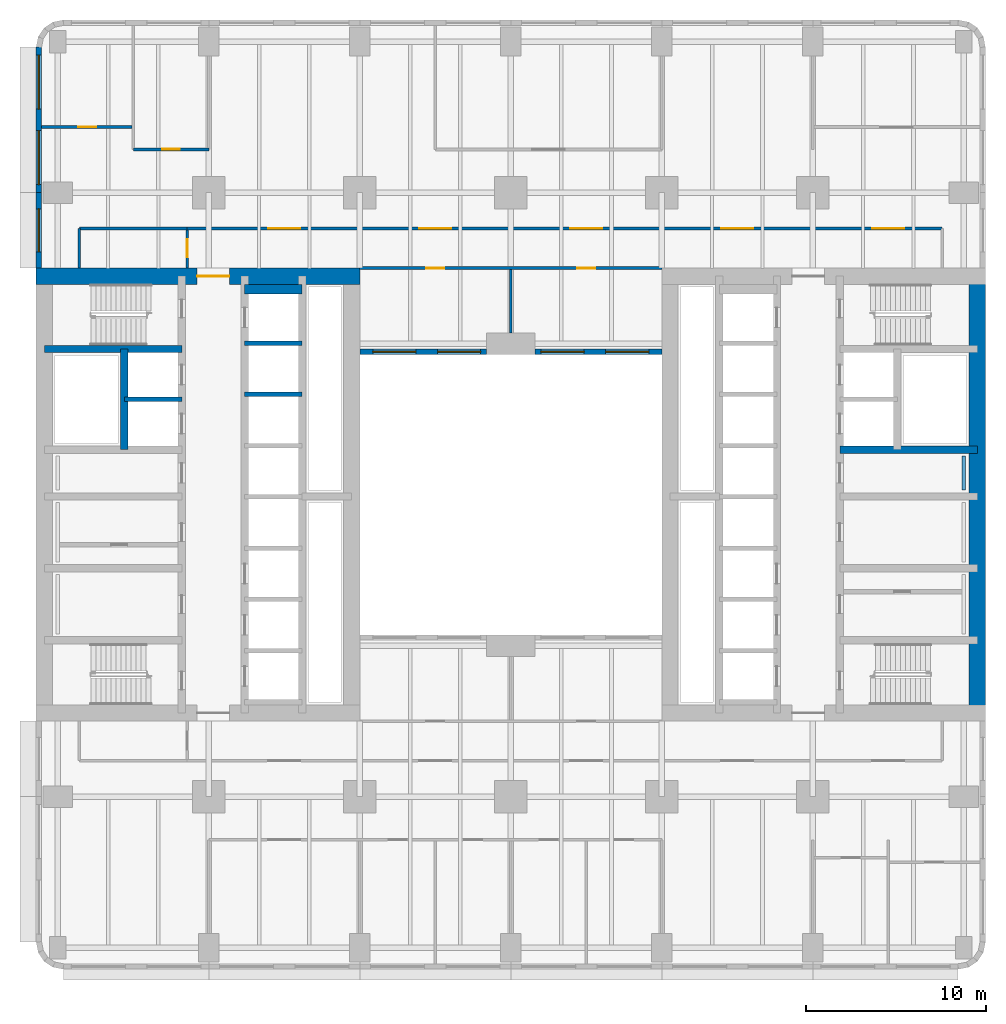
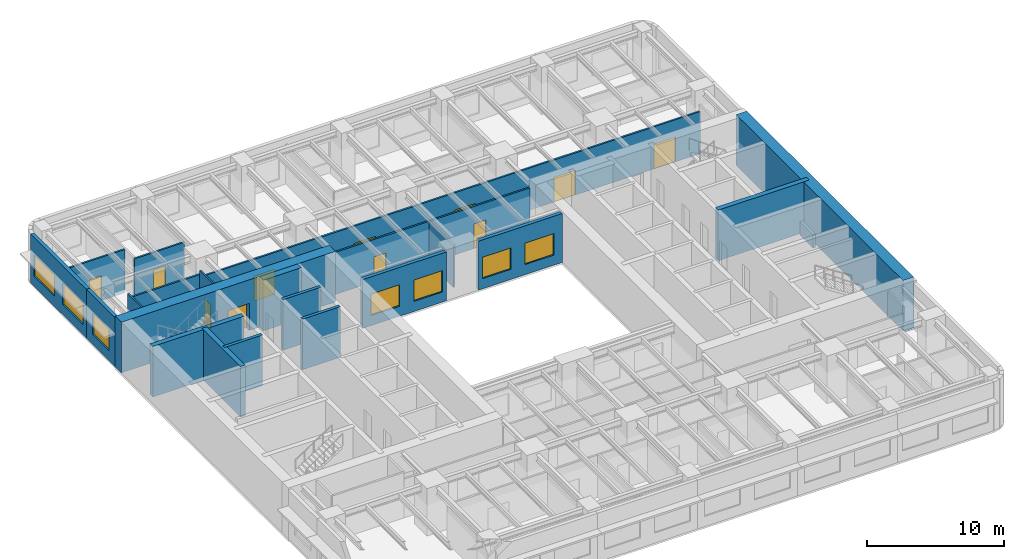
# One storey, part 6 of 14: 22 walls, 11 doors, 7 windows, 18 openings.
"""IFC4 building model written with IfcOpenShell, lengths in metres."""

from ifc_helpers import new_model, si_unit, direction, frame, frame_2d, origin, place, context, subcontext, project, spatial, rectangle, extrude, material, layer, layer_set, type_object, element, fill, save


model = new_model("IFC4")

# Units and contexts
model_context = context("Model", 3, precision=1e-05, world=origin(), true_north=direction((0.0, 1.0)))
body_context = subcontext(model_context, "Body", "Model", "MODEL_VIEW")
ifc_project = project(units=[si_unit("LENGTHUNIT", "METRE"), si_unit("AREAUNIT", "SQUARE_METRE"), si_unit("VOLUMEUNIT", "CUBIC_METRE"), si_unit("PLANEANGLEUNIT", "RADIAN"), si_unit("MASSUNIT", "GRAM", prefix="KILO")], contexts=[model_context])

# Site, building, storey
site_placement = place(None, origin())
site = spatial("IfcSite", under=ifc_project, at=site_placement, CompositionType="ELEMENT")
building_placement = place(site_placement, origin())
building = spatial("IfcBuilding", under=site, at=building_placement, Name="Claustro Exchange Tower", CompositionType="ELEMENT")
storey_placement = place(building_placement, frame((0.0, 0.0, 59.39990234375)))
storey = spatial("IfcBuildingStorey", under=building, at=storey_placement, Name="L13", CompositionType="ELEMENT", Elevation=59.39990234375)

# Wall, opening, door
ifc_material_1 = material(Name="Gypsum board on steel studs", Category="steel")
ifc_layer_1 = layer(ifc_material_1, 0.14990234375)
ifc_layer_set_1 = layer_set([ifc_layer_1], Name="Gypsum board on steel studs")
wall_type_1 = type_object("IfcWallType", Name="P1 150 plasterboard partition", PredefinedType="PARTITIONING", material=ifc_layer_set_1)
wall_1_placement = place(storey_placement, frame((-0.902099609375, 45.64990234375, 0.0), z_axis=(0.0, 0.0, 1.0), x_axis=(1.0, 0.0, 0.0)))
wall_1 = element("IfcWall", 1, at=wall_1_placement, inside=storey, type_object=wall_type_1, Name="Partition P1 L13", PredefinedType="PARTITIONING", context=body_context, shape_type="SweptSolid", body=[
    extrude(rectangle(XDim=5.028076171875, YDim=0.14990234375, at=frame_2d((2.51416015625, 0.0))), origin(), (0.0, 0.0, 1.0), 3.840087890625),
])
opening_1_placement = place(wall_1_placement, frame((2.052001953125, 0.0, 0.0)))
opening_1 = element("IfcOpeningElement", 2, at=opening_1_placement, cuts=wall_1, Name="Opening D1", PredefinedType="OPENING", context=body_context, shape_type="SweptSolid", body=[
    extrude(rectangle(XDim=1.0, YDim=2.199951171875, at=frame_2d((0.5, 1.10009765625))), frame((0.0, 0.0849609375, 0.0), z_axis=(0.0, -1.0, 0.0), x_axis=(1.0, 0.0, 0.0)), (0.0, 0.0, 1.0), 0.169921875),
])
ifc_material_2 = material(Name="Timber door, oak veneer", Category="wood")
door_type_1 = type_object("IfcDoorType", Name="D1 1000 x 2200 single door", OperationType="SINGLE_SWING_LEFT", PredefinedType="DOOR", material=ifc_material_2)
door_1_placement = place(opening_1_placement, origin())
door_1 = element("IfcDoor", 3, at=door_1_placement, inside=storey, type_object=door_type_1, Name="Door D1 L13", OperationType="SINGLE_SWING_RIGHT", OverallHeight=2.199951171875, OverallWidth=1.0, PredefinedType="DOOR", context=body_context, shape_type="SweptSolid", body=[
    extrude(rectangle(XDim=1.0, YDim=2.199951171875, at=frame_2d((0.5, 1.10009765625))), frame((0.0, 0.02490234375, 0.0), z_axis=(0.0, -1.0, 0.0), x_axis=(1.0, 0.0, 0.0)), (0.0, 0.0, 1.0), 0.050048828125),
])
fill(opening_1, door_1)

wall_2_placement = place(storey_placement, frame((4.199951171875, 44.39990234375, 0.0), z_axis=(0.0, 0.0, 1.0), x_axis=(1.0, 0.0, 0.0)))
wall_2 = element("IfcWall", 4, at=wall_2_placement, inside=storey, type_object=wall_type_1, Name="Partition P1 L13", PredefinedType="PARTITIONING", context=body_context, shape_type="SweptSolid", body=[
    extrude(rectangle(XDim=4.199951171875, YDim=0.14990234375, at=frame_2d((2.10009765625, 0.0))), origin(), (0.0, 0.0, 1.0), 3.739990234375),
])
opening_2_placement = place(wall_2_placement, frame((1.60009765625, 0.0, 0.0)))
opening_2 = element("IfcOpeningElement", 5, at=opening_2_placement, cuts=wall_2, Name="Opening D1", PredefinedType="OPENING", context=body_context, shape_type="SweptSolid", body=[
    extrude(rectangle(XDim=1.0, YDim=2.199951171875, at=frame_2d((0.5, 1.10009765625))), frame((0.0, 0.0849609375, 0.0), z_axis=(0.0, -1.0, 0.0), x_axis=(1.0, 0.0, 0.0)), (0.0, 0.0, 1.0), 0.169921875),
])
door_2_placement = place(opening_2_placement, origin())
door_2 = element("IfcDoor", 6, at=door_2_placement, inside=storey, type_object=door_type_1, Name="Door D1 L13", OperationType="SINGLE_SWING_LEFT", OverallHeight=2.199951171875, OverallWidth=1.0, PredefinedType="DOOR", context=body_context, shape_type="SweptSolid", body=[
    extrude(rectangle(XDim=1.0, YDim=2.199951171875, at=frame_2d((0.5, 1.10009765625))), frame((0.0, 0.02490234375, 0.0), z_axis=(0.0, -1.0, 0.0), x_axis=(1.0, 0.0, 0.0)), (0.0, 0.0, 1.0), 0.050048828125),
])
fill(opening_2, door_2)

# Wall, openings, doors
wall_3_placement = place(storey_placement, frame((7.197998046875, 40.0, 0.0), z_axis=(0.0, 0.0, 1.0), x_axis=(1.0, 0.0, 0.0)))
wall_3 = element("IfcWall", 7, at=wall_3_placement, inside=storey, type_object=wall_type_1, Name="Partition P1 L13", PredefinedType="PARTITIONING", context=body_context, shape_type="SweptSolid", body=[
    extrude(rectangle(XDim=42.001953125, YDim=0.14990234375, at=frame_2d((21.0009765625, 0.0))), origin(), (0.0, 0.0, 1.0), 3.739990234375),
])
opening_3_placement = place(wall_3_placement, frame((4.501953125, 0.0, 0.0)))
opening_3 = element("IfcOpeningElement", 8, at=opening_3_placement, cuts=wall_3, Name="Opening D2", PredefinedType="OPENING", context=body_context, shape_type="SweptSolid", body=[
    extrude(rectangle(XDim=1.800048828125, YDim=2.199951171875, at=frame_2d((0.89990234375, 1.10009765625))), frame((0.0, 0.0849609375, 0.0), z_axis=(0.0, -1.0, 0.0), x_axis=(1.0, 0.0, 0.0)), (0.0, 0.0, 1.0), 0.169921875),
])
opening_4_placement = place(wall_3_placement, frame((12.902099609375, 0.0, 0.0)))
opening_4 = element("IfcOpeningElement", 9, at=opening_4_placement, cuts=wall_3, Name="Opening D2", PredefinedType="OPENING", context=body_context, shape_type="SweptSolid", body=[
    extrude(rectangle(XDim=1.800048828125, YDim=2.199951171875, at=frame_2d((0.89990234375, 1.10009765625))), frame((0.0, 0.0849609375, 0.0), z_axis=(0.0, -1.0, 0.0), x_axis=(1.0, 0.0, 0.0)), (0.0, 0.0, 1.0), 0.169921875),
])
opening_5_placement = place(wall_3_placement, frame((21.302001953125, 0.0, 0.0)))
opening_5 = element("IfcOpeningElement", 10, at=opening_5_placement, cuts=wall_3, Name="Opening D2", PredefinedType="OPENING", context=body_context, shape_type="SweptSolid", body=[
    extrude(rectangle(XDim=1.800048828125, YDim=2.199951171875, at=frame_2d((0.89990234375, 1.10009765625))), frame((0.0, 0.0849609375, 0.0), z_axis=(0.0, -1.0, 0.0), x_axis=(1.0, 0.0, 0.0)), (0.0, 0.0, 1.0), 0.169921875),
])
opening_6_placement = place(wall_3_placement, frame((29.701904296875, 0.0, 0.0)))
opening_6 = element("IfcOpeningElement", 11, at=opening_6_placement, cuts=wall_3, Name="Opening D2", PredefinedType="OPENING", context=body_context, shape_type="SweptSolid", body=[
    extrude(rectangle(XDim=1.800048828125, YDim=2.199951171875, at=frame_2d((0.89990234375, 1.10009765625))), frame((0.0, 0.0849609375, 0.0), z_axis=(0.0, -1.0, 0.0), x_axis=(1.0, 0.0, 0.0)), (0.0, 0.0, 1.0), 0.169921875),
])
opening_7_placement = place(wall_3_placement, frame((38.10205078125, 0.0, 0.0)))
opening_7 = element("IfcOpeningElement", 12, at=opening_7_placement, cuts=wall_3, Name="Opening D2", PredefinedType="OPENING", context=body_context, shape_type="SweptSolid", body=[
    extrude(rectangle(XDim=1.800048828125, YDim=2.199951171875, at=frame_2d((0.89990234375, 1.10009765625))), frame((0.0, 0.0849609375, 0.0), z_axis=(0.0, -1.0, 0.0), x_axis=(1.0, 0.0, 0.0)), (0.0, 0.0, 1.0), 0.169921875),
])
ifc_material_3 = material(Name="Timber door, oak veneer", Category="wood")
door_type_2 = type_object("IfcDoorType", Name="D2 1800 x 2200 double door", OperationType="DOUBLE_DOOR_SINGLE_SWING", PredefinedType="DOOR", material=ifc_material_3)
door_3_placement = place(opening_3_placement, origin())
door_3 = element("IfcDoor", 13, at=door_3_placement, inside=storey, type_object=door_type_2, Name="Double door D2 L13", OperationType="DOUBLE_DOOR_SINGLE_SWING", OverallHeight=2.199951171875, OverallWidth=1.800048828125, PredefinedType="DOOR", context=body_context, shape_type="SweptSolid", body=[
    extrude(rectangle(XDim=1.800048828125, YDim=2.199951171875, at=frame_2d((0.89990234375, 1.10009765625))), frame((0.0, 0.02490234375, 0.0), z_axis=(0.0, -1.0, 0.0), x_axis=(1.0, 0.0, 0.0)), (0.0, 0.0, 1.0), 0.050048828125),
])
fill(opening_3, door_3)
door_4_placement = place(opening_4_placement, origin())
door_4 = element("IfcDoor", 14, at=door_4_placement, inside=storey, type_object=door_type_2, Name="Double door D2 L13", OperationType="DOUBLE_DOOR_SINGLE_SWING", OverallHeight=2.199951171875, OverallWidth=1.800048828125, PredefinedType="DOOR", context=body_context, shape_type="SweptSolid", body=[
    extrude(rectangle(XDim=1.800048828125, YDim=2.199951171875, at=frame_2d((0.89990234375, 1.10009765625))), frame((0.0, 0.02490234375, 0.0), z_axis=(0.0, -1.0, 0.0), x_axis=(1.0, 0.0, 0.0)), (0.0, 0.0, 1.0), 0.050048828125),
])
fill(opening_4, door_4)
door_5_placement = place(opening_5_placement, origin())
door_5 = element("IfcDoor", 15, at=door_5_placement, inside=storey, type_object=door_type_2, Name="Double door D2 L13", OperationType="DOUBLE_DOOR_SINGLE_SWING", OverallHeight=2.199951171875, OverallWidth=1.800048828125, PredefinedType="DOOR", context=body_context, shape_type="SweptSolid", body=[
    extrude(rectangle(XDim=1.800048828125, YDim=2.199951171875, at=frame_2d((0.89990234375, 1.10009765625))), frame((0.0, 0.02490234375, 0.0), z_axis=(0.0, -1.0, 0.0), x_axis=(1.0, 0.0, 0.0)), (0.0, 0.0, 1.0), 0.050048828125),
])
fill(opening_5, door_5)
door_6_placement = place(opening_6_placement, origin())
door_6 = element("IfcDoor", 16, at=door_6_placement, inside=storey, type_object=door_type_2, Name="Double door D2 L13", OperationType="DOUBLE_DOOR_SINGLE_SWING", OverallHeight=2.199951171875, OverallWidth=1.800048828125, PredefinedType="DOOR", context=body_context, shape_type="SweptSolid", body=[
    extrude(rectangle(XDim=1.800048828125, YDim=2.199951171875, at=frame_2d((0.89990234375, 1.10009765625))), frame((0.0, 0.02490234375, 0.0), z_axis=(0.0, -1.0, 0.0), x_axis=(1.0, 0.0, 0.0)), (0.0, 0.0, 1.0), 0.050048828125),
])
fill(opening_6, door_6)
door_7_placement = place(opening_7_placement, origin())
door_7 = element("IfcDoor", 17, at=door_7_placement, inside=storey, type_object=door_type_2, Name="Double door D2 L13", OperationType="DOUBLE_DOOR_SINGLE_SWING", OverallHeight=2.199951171875, OverallWidth=1.800048828125, PredefinedType="DOOR", context=body_context, shape_type="SweptSolid", body=[
    extrude(rectangle(XDim=1.800048828125, YDim=2.199951171875, at=frame_2d((0.89990234375, 1.10009765625))), frame((0.0, 0.02490234375, 0.0), z_axis=(0.0, -1.0, 0.0), x_axis=(1.0, 0.0, 0.0)), (0.0, 0.0, 1.0), 0.050048828125),
])
fill(opening_7, door_7)

# Wall, opening, door
wall_4_placement = place(storey_placement, frame((7.199951171875, 37.800048828125, 0.0), z_axis=(0.0, 0.0, 1.0), x_axis=(0.0, 1.0, 0.0)))
wall_4 = element("IfcWall", 18, at=wall_4_placement, inside=storey, type_object=wall_type_1, Name="Partition P1 L13", PredefinedType="PARTITIONING", context=body_context, shape_type="SweptSolid", body=[
    extrude(rectangle(XDim=2.1259765625, YDim=0.14990234375, at=frame_2d((1.06298828125, 0.0))), origin(), (0.0, 0.0, 1.0), 4.340087890625),
])
opening_8_placement = place(wall_4_placement, frame((0.60009765625, 0.0, 0.0)))
opening_8 = element("IfcOpeningElement", 19, at=opening_8_placement, cuts=wall_4, Name="Opening D1", PredefinedType="OPENING", context=body_context, shape_type="SweptSolid", body=[
    extrude(rectangle(XDim=1.0, YDim=2.199951171875, at=frame_2d((0.5, 1.10009765625))), frame((0.0, 0.0849609375, 0.0), z_axis=(0.0, -1.0, 0.0), x_axis=(1.0, 0.0, 0.0)), (0.0, 0.0, 1.0), 0.169921875),
])
door_8_placement = place(opening_8_placement, origin())
door_8 = element("IfcDoor", 20, at=door_8_placement, inside=storey, type_object=door_type_1, Name="Door D1 L13", OperationType="SINGLE_SWING_LEFT", OverallHeight=2.199951171875, OverallWidth=1.0, PredefinedType="DOOR", context=body_context, shape_type="SweptSolid", body=[
    extrude(rectangle(XDim=1.0, YDim=2.199951171875, at=frame_2d((0.5, 1.10009765625))), frame((0.0, 0.02490234375, 0.0), z_axis=(0.0, -1.0, 0.0), x_axis=(1.0, 0.0, 0.0)), (0.0, 0.0, 1.0), 0.050048828125),
])
fill(opening_8, door_8)

# Walls
wall_5_placement = place(storey_placement, frame((1.199951171875, 40.0, 0.0), z_axis=(0.0, 0.0, 1.0), x_axis=(1.0, 0.0, 0.0)))
element("IfcWall", 21, at=wall_5_placement, inside=storey, type_object=wall_type_1, Name="Partition P1 L13", PredefinedType="PARTITIONING", context=body_context, shape_type="SweptSolid", body=[
    extrude(rectangle(XDim=6.001953125, YDim=0.14990234375, at=frame_2d((3.0009765625, 0.0))), origin(), (0.0, 0.0, 1.0), 3.97998046875),
])
wall_6_placement = place(storey_placement, frame((1.199951171875, 37.800048828125, 0.0), z_axis=(0.0, 0.0, 1.0), x_axis=(0.0, 1.0, 0.0)))
element("IfcWall", 22, at=wall_6_placement, inside=storey, type_object=wall_type_1, Name="Partition P1 L13", PredefinedType="PARTITIONING", context=body_context, shape_type="SweptSolid", body=[
    extrude(rectangle(XDim=2.199951171875, YDim=0.14990234375, at=frame_2d((1.10009765625, 0.0))), origin(), (0.0, 0.0, 1.0), 4.340087890625),
])
wall_7_placement = place(storey_placement, frame((25.199951171875, 34.198974609375, 0.0), z_axis=(0.0, 0.0, 1.0), x_axis=(0.0, 1.0, 0.0)))
element("IfcWall", 23, at=wall_7_placement, inside=storey, type_object=wall_type_1, Name="Partition P1 L13", PredefinedType="PARTITIONING", context=body_context, shape_type="SweptSolid", body=[
    extrude(rectangle(XDim=3.527099609375, YDim=0.14990234375, at=frame_2d((1.763671875, 0.0))), origin(), (0.0, 0.0, 1.0), 3.739990234375),
])

# Wall, openings, doors
wall_8_placement = place(storey_placement, frame((16.798095703125, 37.800048828125, 0.0), z_axis=(0.0, 0.0, 1.0), x_axis=(1.0, 0.0, 0.0)))
wall_8 = element("IfcWall", 24, at=wall_8_placement, inside=storey, type_object=wall_type_1, Name="Partition P1 L13", PredefinedType="PARTITIONING", context=body_context, shape_type="SweptSolid", body=[
    extrude(rectangle(XDim=16.803955078125, YDim=0.14990234375, at=frame_2d((8.40185546875, 0.0))), origin(), (0.0, 0.0, 1.0), 3.739990234375),
])
opening_9_placement = place(wall_8_placement, frame((3.701904296875, 0.0, 0.0)))
opening_9 = element("IfcOpeningElement", 25, at=opening_9_placement, cuts=wall_8, Name="Opening D1", PredefinedType="OPENING", context=body_context, shape_type="SweptSolid", body=[
    extrude(rectangle(XDim=1.0, YDim=2.199951171875, at=frame_2d((0.5, 1.10009765625))), frame((0.0, 0.0849609375, 0.0), z_axis=(0.0, -1.0, 0.0), x_axis=(1.0, 0.0, 0.0)), (0.0, 0.0, 1.0), 0.169921875),
])
opening_10_placement = place(wall_8_placement, frame((12.10205078125, 0.0, 0.0)))
opening_10 = element("IfcOpeningElement", 26, at=opening_10_placement, cuts=wall_8, Name="Opening D1", PredefinedType="OPENING", context=body_context, shape_type="SweptSolid", body=[
    extrude(rectangle(XDim=1.0, YDim=2.199951171875, at=frame_2d((0.5, 1.10009765625))), frame((0.0, 0.0849609375, 0.0), z_axis=(0.0, -1.0, 0.0), x_axis=(1.0, 0.0, 0.0)), (0.0, 0.0, 1.0), 0.169921875),
])
door_9_placement = place(opening_9_placement, frame((1.0, 0.0, 0.0), z_axis=(0.0, 0.0, 1.0), x_axis=(-1.0, 0.0, 0.0)))
door_9 = element("IfcDoor", 27, at=door_9_placement, inside=storey, type_object=door_type_1, Name="Door D1 L13", OperationType="SINGLE_SWING_RIGHT", OverallHeight=2.199951171875, OverallWidth=1.0, PredefinedType="DOOR", context=body_context, shape_type="SweptSolid", body=[
    extrude(rectangle(XDim=1.0, YDim=2.199951171875, at=frame_2d((0.5, 1.10009765625))), frame((0.0, 0.02490234375, 0.0), z_axis=(0.0, -1.0, 0.0), x_axis=(1.0, 0.0, 0.0)), (0.0, 0.0, 1.0), 0.050048828125),
])
fill(opening_9, door_9)
door_10_placement = place(opening_10_placement, frame((1.0, 0.0, 0.0), z_axis=(0.0, 0.0, 1.0), x_axis=(-1.0, 0.0, 0.0)))
door_10 = element("IfcDoor", 28, at=door_10_placement, inside=storey, type_object=door_type_1, Name="Door D1 L13", OperationType="SINGLE_SWING_RIGHT", OverallHeight=2.199951171875, OverallWidth=1.0, PredefinedType="DOOR", context=body_context, shape_type="SweptSolid", body=[
    extrude(rectangle(XDim=1.0, YDim=2.199951171875, at=frame_2d((0.5, 1.10009765625))), frame((0.0, 0.02490234375, 0.0), z_axis=(0.0, -1.0, 0.0), x_axis=(1.0, 0.0, 0.0)), (0.0, 0.0, 1.0), 0.050048828125),
])
fill(opening_10, door_10)

# Wall, opening, window
ifc_material_4 = material(Name="Concrete HA-40 (C40/50), precast, white cement, acid-etched", Category="concrete")
ifc_layer_2 = layer(ifc_material_4, 0.300048828125)
ifc_layer_set_2 = layer_set([ifc_layer_2], Name="Concrete HA-40 (C40/50), precast, white cement, acid-etched")
wall_type_2 = type_object("IfcWallType", Name="PC1 300 precast concrete pier panel", PredefinedType="SOLIDWALL", material=ifc_layer_set_2)
wall_9_placement = place(storey_placement, frame((-1.050048828125, 37.800048828125, 0.0), z_axis=(0.0, 0.0, 1.0), x_axis=(0.0, 1.0, 0.0)))
wall_9 = element("IfcWall", 29, at=wall_9_placement, inside=storey, type_object=wall_type_2, Name="Precast pier panel PC1 L13", PredefinedType="SOLIDWALL", context=body_context, shape_type="SweptSolid", body=[
    extrude(rectangle(XDim=4.199951171875, YDim=0.300048828125, at=frame_2d((2.10009765625, 0.0))), origin(), (0.0, 0.0, 1.0), 4.340087890625),
])
opening_11_placement = place(wall_9_placement, frame((0.89990234375, 0.0, 0.89990234375)))
opening_11 = element("IfcOpeningElement", 30, at=opening_11_placement, cuts=wall_9, Name="Opening W2", PredefinedType="OPENING", context=body_context, shape_type="SweptSolid", body=[
    extrude(rectangle(XDim=2.39990234375, YDim=1.89990234375, at=frame_2d((1.199951171875, 0.949951171875))), frame((0.0, 0.159912109375, 0.0), z_axis=(0.0, -1.0, 0.0), x_axis=(1.0, 0.0, 0.0)), (0.0, 0.0, 1.0), 0.320068359375),
])
ifc_material_5 = material(Name="Aluminium frame, clear double glazing", Category="aluminium")
window_type_1 = type_object("IfcWindowType", Name="W2 2400 x 1900 window", PartitioningType="SINGLE_PANEL", PredefinedType="WINDOW", material=ifc_material_5)
window_1_placement = place(opening_11_placement, origin())
window_1 = element("IfcWindow", 31, at=window_1_placement, inside=storey, type_object=window_type_1, Name="Window W2 L13", OverallHeight=1.89990234375, OverallWidth=2.39990234375, PartitioningType="SINGLE_PANEL", PredefinedType="WINDOW", context=body_context, shape_type="SweptSolid", body=[
    extrude(rectangle(XDim=2.39990234375, YDim=1.89990234375, at=frame_2d((1.199951171875, 0.949951171875))), frame((0.0, 0.030029296875, 0.0), z_axis=(0.0, -1.0, 0.0), x_axis=(1.0, 0.0, 0.0)), (0.0, 0.0, 1.0), 0.06005859375),
])
fill(opening_11, window_1)

# Wall, openings, windows
wall_10_placement = place(storey_placement, frame((-1.050048828125, 42.0, 0.0), z_axis=(0.0, 0.0, 1.0), x_axis=(0.0, 1.0, 0.0)))
wall_10 = element("IfcWall", 32, at=wall_10_placement, inside=storey, type_object=wall_type_2, Name="Precast pier panel PC1 L13", PredefinedType="SOLIDWALL", context=body_context, shape_type="SweptSolid", body=[
    extrude(rectangle(XDim=8.085205078125, YDim=0.300048828125, at=frame_2d((4.04248046875, 0.0))), origin(), (0.0, 0.0, 1.0), 4.340087890625),
])
opening_12_placement = place(wall_10_placement, frame((0.442626953125, 0.0, 0.89990234375)))
opening_12 = element("IfcOpeningElement", 33, at=opening_12_placement, cuts=wall_10, Name="Opening W1", PredefinedType="OPENING", context=body_context, shape_type="SweptSolid", body=[
    extrude(rectangle(XDim=3.0, YDim=1.89990234375, at=frame_2d((1.5, 0.949951171875))), frame((0.0, 0.159912109375, 0.0), z_axis=(0.0, -1.0, 0.0), x_axis=(1.0, 0.0, 0.0)), (0.0, 0.0, 1.0), 0.320068359375),
])
opening_13_placement = place(wall_10_placement, frame((4.642578125, 0.0, 0.89990234375)))
opening_13 = element("IfcOpeningElement", 34, at=opening_13_placement, cuts=wall_10, Name="Opening W1", PredefinedType="OPENING", context=body_context, shape_type="SweptSolid", body=[
    extrude(rectangle(XDim=3.0, YDim=1.89990234375, at=frame_2d((1.5, 0.949951171875))), frame((0.0, 0.159912109375, 0.0), z_axis=(0.0, -1.0, 0.0), x_axis=(1.0, 0.0, 0.0)), (0.0, 0.0, 1.0), 0.320068359375),
])
ifc_material_6 = material(Name="Aluminium frame, clear double glazing", Category="aluminium")
window_type_2 = type_object("IfcWindowType", Name="W1 3000 x 1900 window", PartitioningType="SINGLE_PANEL", PredefinedType="WINDOW", material=ifc_material_6)
window_2_placement = place(opening_12_placement, origin())
window_2 = element("IfcWindow", 35, at=window_2_placement, inside=storey, type_object=window_type_2, Name="Window W1 L13", OverallHeight=1.89990234375, OverallWidth=3.0, PartitioningType="SINGLE_PANEL", PredefinedType="WINDOW", context=body_context, shape_type="SweptSolid", body=[
    extrude(rectangle(XDim=3.0, YDim=1.89990234375, at=frame_2d((1.5, 0.949951171875))), frame((0.0, 0.030029296875, 0.0), z_axis=(0.0, -1.0, 0.0), x_axis=(1.0, 0.0, 0.0)), (0.0, 0.0, 1.0), 0.06005859375),
])
fill(opening_12, window_2)
window_3_placement = place(opening_13_placement, origin())
window_3 = element("IfcWindow", 36, at=window_3_placement, inside=storey, type_object=window_type_2, Name="Window W1 L13", OverallHeight=1.89990234375, OverallWidth=3.0, PartitioningType="SINGLE_PANEL", PredefinedType="WINDOW", context=body_context, shape_type="SweptSolid", body=[
    extrude(rectangle(XDim=3.0, YDim=1.89990234375, at=frame_2d((1.5, 0.949951171875))), frame((0.0, 0.030029296875, 0.0), z_axis=(0.0, -1.0, 0.0), x_axis=(1.0, 0.0, 0.0)), (0.0, 0.0, 1.0), 0.06005859375),
])
fill(opening_13, window_3)

wall_11_placement = place(storey_placement, frame((16.800048828125, 33.14990234375, 0.0), z_axis=(0.0, 0.0, 1.0), x_axis=(1.0, 0.0, 0.0)))
wall_11 = element("IfcWall", 37, at=wall_11_placement, inside=storey, type_object=wall_type_2, Name="Precast pier panel PC1 L13", PredefinedType="SOLIDWALL", context=body_context, shape_type="SweptSolid", body=[
    extrude(rectangle(XDim=7.050048828125, YDim=0.300048828125, at=frame_2d((3.52490234375, 0.0))), origin(), (0.0, 0.0, 1.0), 4.340087890625),
])
opening_14_placement = place(wall_11_placement, frame((0.72509765625, 0.0, 0.89990234375)))
opening_14 = element("IfcOpeningElement", 38, at=opening_14_placement, cuts=wall_11, Name="Opening W2", PredefinedType="OPENING", context=body_context, shape_type="SweptSolid", body=[
    extrude(rectangle(XDim=2.39990234375, YDim=1.89990234375, at=frame_2d((1.199951171875, 0.949951171875))), frame((0.0, 0.159912109375, 0.0), z_axis=(0.0, -1.0, 0.0), x_axis=(1.0, 0.0, 0.0)), (0.0, 0.0, 1.0), 0.320068359375),
])
opening_15_placement = place(wall_11_placement, frame((4.324951171875, 0.0, 0.89990234375)))
opening_15 = element("IfcOpeningElement", 39, at=opening_15_placement, cuts=wall_11, Name="Opening W2", PredefinedType="OPENING", context=body_context, shape_type="SweptSolid", body=[
    extrude(rectangle(XDim=2.39990234375, YDim=1.89990234375, at=frame_2d((1.199951171875, 0.949951171875))), frame((0.0, 0.159912109375, 0.0), z_axis=(0.0, -1.0, 0.0), x_axis=(1.0, 0.0, 0.0)), (0.0, 0.0, 1.0), 0.320068359375),
])
window_4_placement = place(opening_14_placement, origin())
window_4 = element("IfcWindow", 40, at=window_4_placement, inside=storey, type_object=window_type_1, Name="Window W2 L13", OverallHeight=1.89990234375, OverallWidth=2.39990234375, PartitioningType="SINGLE_PANEL", PredefinedType="WINDOW", context=body_context, shape_type="SweptSolid", body=[
    extrude(rectangle(XDim=2.39990234375, YDim=1.89990234375, at=frame_2d((1.199951171875, 0.949951171875))), frame((0.0, 0.030029296875, 0.0), z_axis=(0.0, -1.0, 0.0), x_axis=(1.0, 0.0, 0.0)), (0.0, 0.0, 1.0), 0.06005859375),
])
fill(opening_14, window_4)
window_5_placement = place(opening_15_placement, origin())
window_5 = element("IfcWindow", 41, at=window_5_placement, inside=storey, type_object=window_type_1, Name="Window W2 L13", OverallHeight=1.89990234375, OverallWidth=2.39990234375, PartitioningType="SINGLE_PANEL", PredefinedType="WINDOW", context=body_context, shape_type="SweptSolid", body=[
    extrude(rectangle(XDim=2.39990234375, YDim=1.89990234375, at=frame_2d((1.199951171875, 0.949951171875))), frame((0.0, 0.030029296875, 0.0), z_axis=(0.0, -1.0, 0.0), x_axis=(1.0, 0.0, 0.0)), (0.0, 0.0, 1.0), 0.06005859375),
])
fill(opening_15, window_5)

wall_12_placement = place(storey_placement, frame((26.550048828125, 33.14990234375, 0.0), z_axis=(0.0, 0.0, 1.0), x_axis=(1.0, 0.0, 0.0)))
wall_12 = element("IfcWall", 42, at=wall_12_placement, inside=storey, type_object=wall_type_2, Name="Precast pier panel PC1 L13", PredefinedType="SOLIDWALL", context=body_context, shape_type="SweptSolid", body=[
    extrude(rectangle(XDim=7.050048828125, YDim=0.300048828125, at=frame_2d((3.52490234375, 0.0))), origin(), (0.0, 0.0, 1.0), 4.340087890625),
])
opening_16_placement = place(wall_12_placement, frame((0.324951171875, 0.0, 0.89990234375)))
opening_16 = element("IfcOpeningElement", 43, at=opening_16_placement, cuts=wall_12, Name="Opening W2", PredefinedType="OPENING", context=body_context, shape_type="SweptSolid", body=[
    extrude(rectangle(XDim=2.39990234375, YDim=1.89990234375, at=frame_2d((1.199951171875, 0.949951171875))), frame((0.0, 0.159912109375, 0.0), z_axis=(0.0, -1.0, 0.0), x_axis=(1.0, 0.0, 0.0)), (0.0, 0.0, 1.0), 0.320068359375),
])
opening_17_placement = place(wall_12_placement, frame((3.925048828125, 0.0, 0.89990234375)))
opening_17 = element("IfcOpeningElement", 44, at=opening_17_placement, cuts=wall_12, Name="Opening W2", PredefinedType="OPENING", context=body_context, shape_type="SweptSolid", body=[
    extrude(rectangle(XDim=2.39990234375, YDim=1.89990234375, at=frame_2d((1.199951171875, 0.949951171875))), frame((0.0, 0.159912109375, 0.0), z_axis=(0.0, -1.0, 0.0), x_axis=(1.0, 0.0, 0.0)), (0.0, 0.0, 1.0), 0.320068359375),
])
window_6_placement = place(opening_16_placement, origin())
window_6 = element("IfcWindow", 45, at=window_6_placement, inside=storey, type_object=window_type_1, Name="Window W2 L13", OverallHeight=1.89990234375, OverallWidth=2.39990234375, PartitioningType="SINGLE_PANEL", PredefinedType="WINDOW", context=body_context, shape_type="SweptSolid", body=[
    extrude(rectangle(XDim=2.39990234375, YDim=1.89990234375, at=frame_2d((1.199951171875, 0.949951171875))), frame((0.0, 0.030029296875, 0.0), z_axis=(0.0, -1.0, 0.0), x_axis=(1.0, 0.0, 0.0)), (0.0, 0.0, 1.0), 0.06005859375),
])
fill(opening_16, window_6)
window_7_placement = place(opening_17_placement, origin())
window_7 = element("IfcWindow", 46, at=window_7_placement, inside=storey, type_object=window_type_1, Name="Window W2 L13", OverallHeight=1.89990234375, OverallWidth=2.39990234375, PartitioningType="SINGLE_PANEL", PredefinedType="WINDOW", context=body_context, shape_type="SweptSolid", body=[
    extrude(rectangle(XDim=2.39990234375, YDim=1.89990234375, at=frame_2d((1.199951171875, 0.949951171875))), frame((0.0, 0.030029296875, 0.0), z_axis=(0.0, -1.0, 0.0), x_axis=(1.0, 0.0, 0.0)), (0.0, 0.0, 1.0), 0.06005859375),
])
fill(opening_17, window_7)

# Wall
ifc_material_7 = material(Name="Gypsum board on steel studs, tiled", Category="steel")
ifc_layer_3 = layer(ifc_material_7, 0.199951171875)
ifc_layer_set_3 = layer_set([ifc_layer_3], Name="Gypsum board on steel studs, tiled")
wall_type_3 = type_object("IfcWallType", Name="PW1 200 WC duct wall", PredefinedType="PLUMBINGWALL", material=ifc_layer_set_3)
wall_13_placement = place(storey_placement, frame((50.39990234375, 25.449951171875, 0.0), z_axis=(0.0, 0.0, 1.0), x_axis=(0.0, 1.0, 0.0)))
element("IfcWall", 47, at=wall_13_placement, inside=storey, type_object=wall_type_3, Name="WC duct wall PW1 L13", PredefinedType="PLUMBINGWALL", context=body_context, shape_type="SweptSolid", body=[
    extrude(rectangle(XDim=1.900146484375, YDim=0.199951171875, at=frame_2d((0.9501953125, 0.0))), origin(), (0.0, 0.0, 1.0), 1.2001953125),
])

# Wall, opening, door
ifc_material_8 = material(Name="Concrete HA-70 (C70/85)", Category="concrete")
ifc_layer_4 = layer(ifc_material_8, 0.89990234375)
ifc_layer_set_4 = layer_set([ifc_layer_4], Name="Concrete HA-70 (C70/85)")
wall_type_4 = type_object("IfcWallType", Name="SW1 900 core shear wall", PredefinedType="SHEAR", material=ifc_layer_set_4)
wall_14_placement = place(storey_placement, frame((-1.199951171875, 37.35009765625, 0.0), z_axis=(0.0, 0.0, 1.0), x_axis=(1.0, 0.0, 0.0)))
wall_14 = element("IfcWall", 48, at=wall_14_placement, inside=storey, type_object=wall_type_4, Name="Core wall SW1 W core N face L13", PredefinedType="SHEAR", context=body_context, shape_type="SweptSolid", body=[
    extrude(rectangle(XDim=18.0, YDim=0.89990234375, at=frame_2d((9.0, 0.0))), origin(), (0.0, 0.0, 1.0), 4.5),
])
opening_18_placement = place(wall_14_placement, frame((8.949951171875, 0.0, 0.0)))
opening_18 = element("IfcOpeningElement", 49, at=opening_18_placement, cuts=wall_14, Name="Opening D3", PredefinedType="OPENING", context=body_context, shape_type="SweptSolid", body=[
    extrude(rectangle(XDim=1.800048828125, YDim=2.39990234375, at=frame_2d((0.89990234375, 1.199951171875))), frame((0.0, 0.4599609375, 0.0), z_axis=(0.0, -1.0, 0.0), x_axis=(1.0, 0.0, 0.0)), (0.0, 0.0, 1.0), 0.919921875),
])
ifc_material_9 = material(Name="Steel fire door, painted", Category="steel")
door_type_3 = type_object("IfcDoorType", Name="D3 1800 x 2400 fire-rated lobby double door", OperationType="DOUBLE_DOOR_SINGLE_SWING", PredefinedType="DOOR", material=ifc_material_9)
door_11_placement = place(opening_18_placement, frame((1.800048828125, 0.0, 0.0), z_axis=(0.0, 0.0, 1.0), x_axis=(-1.0, 0.0, 0.0)))
door_11 = element("IfcDoor", 50, at=door_11_placement, inside=storey, type_object=door_type_3, Name="Lift lobby door D3 L13", OperationType="DOUBLE_DOOR_SINGLE_SWING", OverallHeight=2.39990234375, OverallWidth=1.800048828125, PredefinedType="DOOR", context=body_context, shape_type="SweptSolid", body=[
    extrude(rectangle(XDim=1.800048828125, YDim=2.39990234375, at=frame_2d((0.89990234375, 1.199951171875))), frame((0.0, 0.02490234375, 0.0), z_axis=(0.0, -1.0, 0.0), x_axis=(1.0, 0.0, 0.0)), (0.0, 0.0, 1.0), 0.050048828125),
])
fill(opening_18, door_11)

# Walls
ifc_material_10 = material(Name="Concrete HA-70 (C70/85)", Category="concrete")
ifc_layer_5 = layer(ifc_material_10, 0.89990234375)
ifc_layer_set_5 = layer_set([ifc_layer_5], Name="Concrete HA-70 (C70/85)")
wall_type_5 = type_object("IfcWallType", Name="SW1X 900 exposed core shear wall, board-marked face", PredefinedType="SHEAR", material=ifc_layer_set_5)
wall_15_placement = place(storey_placement, frame((51.14990234375, 13.050048828125, 0.0), z_axis=(0.0, 0.0, 1.0), x_axis=(0.0, 1.0, 0.0)))
element("IfcWall", 51, at=wall_15_placement, inside=storey, type_object=wall_type_5, Name="Core wall SW1X E core E face L13", PredefinedType="SHEAR", context=body_context, shape_type="SweptSolid", body=[
    extrude(rectangle(XDim=24.300048828125, YDim=0.89990234375, at=frame_2d((12.14990234375, 0.0))), origin(), (0.0, 0.0, 1.0), 4.5),
])
ifc_material_11 = material(Name="Concrete HA-50 (C50/60)", Category="concrete")
ifc_layer_6 = layer(ifc_material_11, 0.39990234375)
ifc_layer_set_6 = layer_set([ifc_layer_6], Name="Concrete HA-50 (C50/60)")
wall_type_6 = type_object("IfcWallType", Name="SW4 400 internal core wall", PredefinedType="SHEAR", material=ifc_layer_set_6)
wall_16_placement = place(storey_placement, frame((-0.75, 33.300048828125, 0.0), z_axis=(0.0, 0.0, 1.0), x_axis=(1.0, 0.0, 0.0)))
element("IfcWall", 52, at=wall_16_placement, inside=storey, type_object=wall_type_6, Name="Internal core wall SW4 W core L13", PredefinedType="SHEAR", context=body_context, shape_type="SweptSolid", body=[
    extrude(rectangle(XDim=7.64990234375, YDim=0.39990234375, at=frame_2d((3.824951171875, 0.0))), origin(), (0.0, 0.0, 1.0), 4.5),
])
wall_17_placement = place(storey_placement, frame((3.699951171875, 27.699951171875, 0.0), z_axis=(0.0, 0.0, 1.0), x_axis=(0.0, 1.0, 0.0)))
element("IfcWall", 53, at=wall_17_placement, inside=storey, type_object=wall_type_6, Name="Internal core wall SW4 W core L13", PredefinedType="SHEAR", context=body_context, shape_type="SweptSolid", body=[
    extrude(rectangle(XDim=5.60009765625, YDim=0.39990234375, at=frame_2d((2.800048828125, 0.0))), origin(), (0.0, 0.0, 1.0), 4.5),
])
wall_18_placement = place(storey_placement, frame((51.14990234375, 27.699951171875, 0.0), z_axis=(0.0, 0.0, 1.0), x_axis=(-1.0, 0.0, 0.0)))
element("IfcWall", 54, at=wall_18_placement, inside=storey, type_object=wall_type_6, Name="Internal core wall SW4 E core L13", PredefinedType="SHEAR", context=body_context, shape_type="SweptSolid", body=[
    extrude(rectangle(XDim=7.64990234375, YDim=0.39990234375, at=frame_2d((3.824951171875, 0.0))), origin(), (0.0, 0.0, 1.0), 4.5),
])
ifc_material_12 = material(Name="Concrete HA-50 (C50/60)", Category="concrete")
ifc_layer_7 = layer(ifc_material_12, 0.25)
ifc_layer_set_7 = layer_set([ifc_layer_7], Name="Concrete HA-50 (C50/60)")
wall_type_7 = type_object("IfcWallType", Name="SW5 250 lift shaft divider wall", PredefinedType="SHEAR", material=ifc_layer_set_7)
wall_19_placement = place(storey_placement, frame((3.699951171875, 30.5, 0.0), z_axis=(0.0, 0.0, 1.0), x_axis=(1.0, 0.0, 0.0)))
element("IfcWall", 55, at=wall_19_placement, inside=storey, type_object=wall_type_7, Name="Lift shaft wall W core L13", PredefinedType="SHEAR", context=body_context, shape_type="SweptSolid", body=[
    extrude(rectangle(XDim=3.199951171875, YDim=0.25, at=frame_2d((1.60009765625, 0.0))), origin(), (0.0, 0.0, 1.0), 4.5),
])
for number, where, z_axis, x_axis, name in (
    (56, (10.39990234375, 30.77490234375, 0.0), (0.0, 0.0, 1.0), (1.0, 0.0, 0.0), "Lift shaft wall W core L13"),
    (57, (10.39990234375, 33.625, 0.0), (0.0, 0.0, 1.0), (1.0, 0.0, 0.0), "Lift shaft wall W core L13"),
):
    element("IfcWall", number, at=place(storey_placement, frame(where, z_axis=z_axis, x_axis=x_axis)), inside=storey, type_object=wall_type_7, Name=name, PredefinedType="SHEAR", context=body_context, shape_type="SweptSolid", body=[
        extrude(rectangle(XDim=3.2001953125, YDim=0.25, at=frame_2d((1.60009765625, 0.0))), origin(), (0.0, 0.0, 1.0), 4.5),
    ])
ifc_material_13 = material(Name="Concrete HA-50 (C50/60)", Category="concrete")
ifc_layer_8 = layer(ifc_material_13, 0.550048828125)
ifc_layer_set_8 = layer_set([ifc_layer_8], Name="Concrete HA-50 (C50/60)")
wall_type_8 = type_object("IfcWallType", Name="SW6 550 lift shaft end wall", PredefinedType="SHEAR", material=ifc_layer_set_8)
wall_20_placement = place(storey_placement, frame((10.39990234375, 36.625, 0.0), z_axis=(0.0, 0.0, 1.0), x_axis=(1.0, 0.0, 0.0)))
element("IfcWall", 58, at=wall_20_placement, inside=storey, type_object=wall_type_8, Name="Lift shaft wall W core L13", PredefinedType="SHEAR", context=body_context, shape_type="SweptSolid", body=[
    extrude(rectangle(XDim=3.2001953125, YDim=0.550048828125, at=frame_2d((1.60009765625, 0.0))), origin(), (0.0, 0.0, 1.0), 4.5),
])

save(model, "model.ifc")
